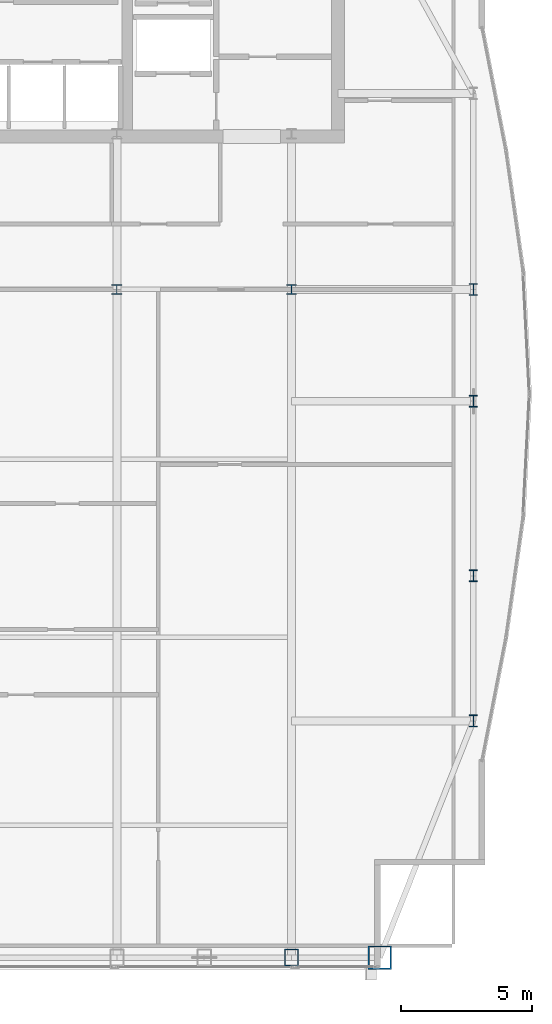
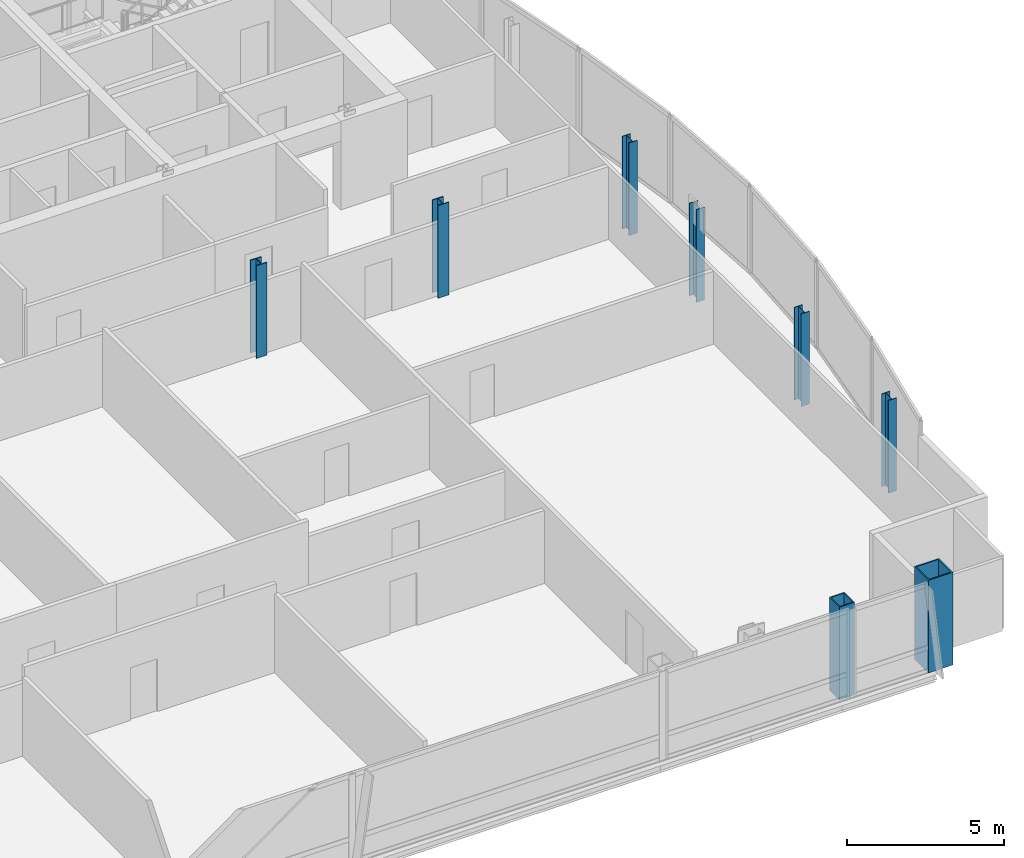
# One storey, part 2 of 27: 8 columns.
"""IFC4 building model written with IfcOpenShell, lengths in metres."""

from ifc_helpers import new_model, si_unit, direction, frame, origin, origin_2d, place, context, subcontext, project, spatial, hollow_rectangle, i_section, extrude, material, material_profile, profile_set, type_object, element, save


model = new_model("IFC4")

# Units and contexts
model_context = context("Model", 3, precision=1e-05, world=origin(), true_north=direction((0.0, 1.0)))
body_context = subcontext(model_context, "Body", "Model", "MODEL_VIEW")
ifc_project = project(units=[si_unit("LENGTHUNIT", "METRE"), si_unit("AREAUNIT", "SQUARE_METRE"), si_unit("VOLUMEUNIT", "CUBIC_METRE"), si_unit("PLANEANGLEUNIT", "RADIAN"), si_unit("MASSUNIT", "GRAM", prefix="KILO")], contexts=[model_context])

# Site, building, storey
site_placement = place(None, origin())
site = spatial("IfcSite", under=ifc_project, at=site_placement, CompositionType="ELEMENT")
building_placement = place(site_placement, origin())
building = spatial("IfcBuilding", under=site, at=building_placement, Name="Khoronbel Lancet Exchange", CompositionType="ELEMENT")
storey_placement = place(building_placement, frame((0.0, 0.0, 332.60009765625)))
storey = spatial("IfcBuildingStorey", under=building, at=storey_placement, Name="L86", CompositionType="ELEMENT", Elevation=332.60009765625)

# Columns
ifc_material_1 = material(Name="Steel S460", Category="steel")
ifc_material_profile_1 = material_profile(ifc_material_1, hollow_rectangle(XDim=0.550048828125, YDim=0.64990234375, WallThickness=0.0400390625, at=origin_2d()), Name="BOX 650x550x40")
ifc_profile_set_1 = profile_set([ifc_material_profile_1], Name="Steel S460")
column_type_1 = type_object("IfcColumnType", Name="COL-EC4", PredefinedType="COLUMN", material=ifc_profile_set_1)
column_1_placement = place(storey_placement, frame((54.675048828125, 10.14990234375, 0.0), z_axis=(0.0, 0.0, 1.0), x_axis=(1.0, 0.0, 0.0)))
element("IfcColumn", 1, at=column_1_placement, inside=storey, type_object=column_type_1, Name="Structural column SC-E2 L86", PredefinedType="COLUMN", context=body_context, shape_type="SweptSolid", body=[
    extrude(hollow_rectangle(XDim=0.550048828125, YDim=0.64990234375, WallThickness=0.0400390625, at=origin_2d()), origin(), (0.0, 0.0, 1.0), 3.599853515625),
])
ifc_material_2 = material(Name="Steel S355", Category="steel")
ifc_material_profile_2 = material_profile(ifc_material_2, i_section(OverallWidth=0.39892578125, OverallDepth=0.39306640625, WebThickness=0.022705078125, FlangeThickness=0.03662109375, at=origin_2d()), Name="HD 400x287")
ifc_profile_set_2 = profile_set([ifc_material_profile_2], Name="Steel S355")
column_type_2 = type_object("IfcColumnType", Name="COL-IC4", PredefinedType="COLUMN", material=ifc_profile_set_2)
for number, where, z_axis, x_axis, name in (
    (2, (48.0, 35.699951171875, 0.0), (0.0, 0.0, 1.0), (1.0, 0.0, 0.0), "Spine gravity column TC3 L86"),
    (3, (54.675048828125, 35.699951171875, 0.0), (0.0, 0.0, 1.0), (1.0, 0.0, 0.0), "Spine gravity column TC4 L86"),
):
    element("IfcColumn", number, at=place(storey_placement, frame(where, z_axis=z_axis, x_axis=x_axis)), inside=storey, type_object=column_type_2, Name=name, PredefinedType="COLUMN", context=body_context, shape_type="SweptSolid", body=[
        extrude(i_section(OverallWidth=0.39892578125, OverallDepth=0.39306640625, WebThickness=0.022705078125, FlangeThickness=0.03662109375, at=origin_2d()), origin(), (0.0, 0.0, 1.0), 3.599853515625),
    ])
ifc_material_profile_3 = material_profile(ifc_material_2, i_section(OverallWidth=0.300048828125, OverallDepth=0.449951171875, WebThickness=0.013916015625, FlangeThickness=0.02587890625, at=origin_2d()), Name="HEB 450")
ifc_profile_set_3 = profile_set([ifc_material_profile_3], Name="Steel S355")
column_type_3 = type_object("IfcColumnType", Name="COL-LC2", PredefinedType="COLUMN", material=ifc_profile_set_3)
for number, where, z_axis, x_axis, name in (
    (4, (61.6298828125, 19.199951171875, 0.0), (0.0, 0.0, 1.0), (1.0, 0.0, 0.0), "Structural column EC-1 L86"),
    (5, (61.6298828125, 24.75, 0.0), (0.0, 0.0, 1.0), (1.0, 0.0, 0.0), "Structural column EC-2 L86"),
    (6, (61.6298828125, 31.425048828125, 0.0), (0.0, 0.0, 1.0), (1.0, 0.0, 0.0), "Structural column EC-M L86"),
    (7, (61.6298828125, 35.699951171875, 0.0), (0.0, 0.0, 1.0), (1.0, 0.0, 0.0), "Structural column EC-3 L86"),
):
    element("IfcColumn", number, at=place(storey_placement, frame(where, z_axis=z_axis, x_axis=x_axis)), inside=storey, type_object=column_type_3, Name=name, PredefinedType="COLUMN", context=body_context, shape_type="SweptSolid", body=[
        extrude(i_section(OverallWidth=0.300048828125, OverallDepth=0.449951171875, WebThickness=0.013916015625, FlangeThickness=0.02587890625, at=origin_2d()), origin(), (0.0, 0.0, 1.0), 3.599853515625),
    ])
ifc_material_profile_4 = material_profile(ifc_material_1, hollow_rectangle(XDim=0.89990234375, YDim=0.89990234375, WallThickness=0.050048828125, at=origin_2d()), Name="BOX 900x900x50")
ifc_profile_set_4 = profile_set([ifc_material_profile_4], Name="Steel S460")
column_type_4 = type_object("IfcColumnType", Name="COL-MC7", PredefinedType="COLUMN", material=ifc_profile_set_4)
column_2_placement = place(storey_placement, frame((58.050048828125, 10.14990234375, 0.0), z_axis=(0.0, 0.0, 1.0), x_axis=(1.0, 0.0, 0.0)))
element("IfcColumn", 8, at=column_2_placement, inside=storey, type_object=column_type_4, Name="Structural column MC-SE L86", PredefinedType="COLUMN", context=body_context, shape_type="SweptSolid", body=[
    extrude(hollow_rectangle(XDim=0.89990234375, YDim=0.89990234375, WallThickness=0.050048828125, at=origin_2d()), origin(), (0.0, 0.0, 1.0), 3.599853515625),
])

save(model, "model.ifc")
